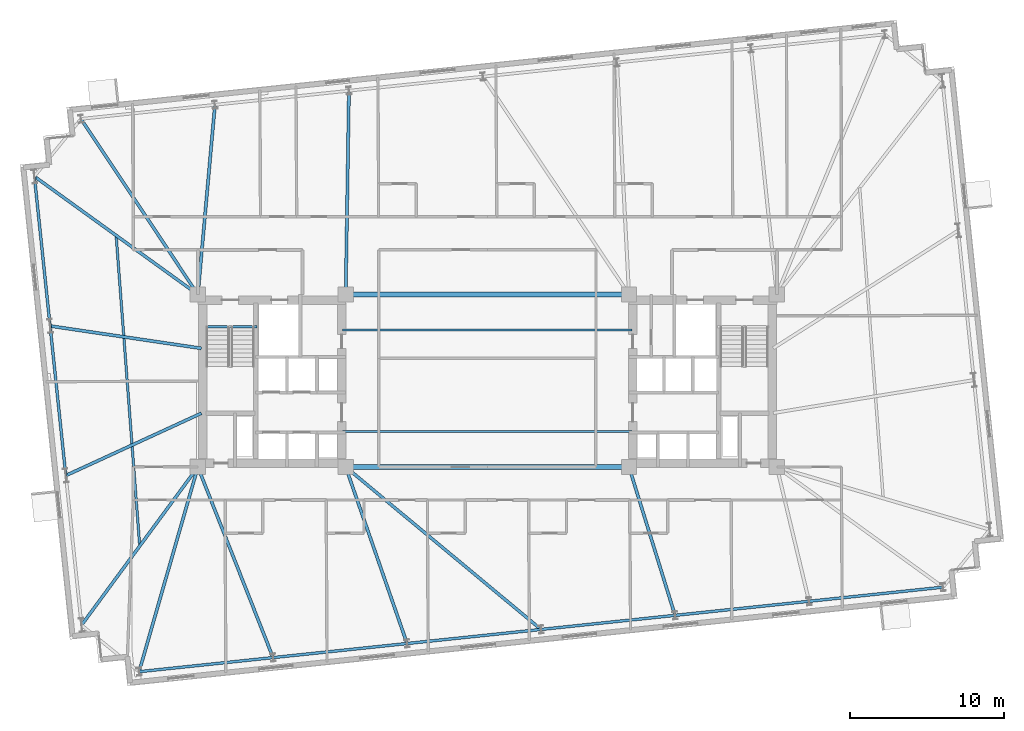
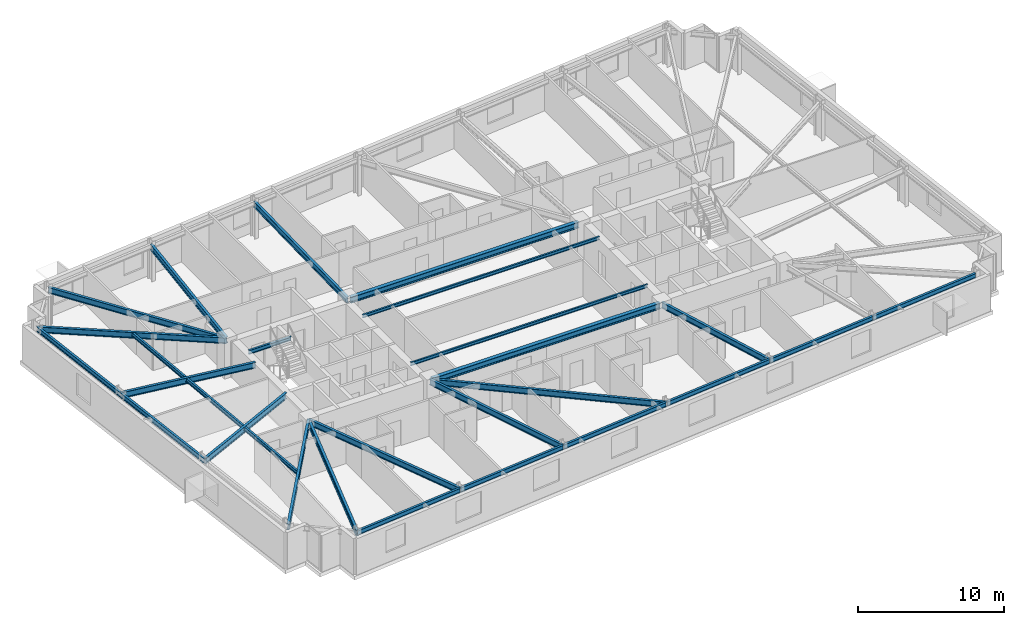
# One storey, part 5 of 19: 26 beams.
"""IFC4 building model written with IfcOpenShell, lengths in metres."""

from ifc_helpers import new_model, si_unit, direction, frame, origin, origin_2d, place, context, subcontext, project, spatial, i_section, extrude, material, material_profile, profile_set, type_object, element, save


model = new_model("IFC4")

# Units and contexts
model_context = context("Model", 3, precision=1e-05, world=origin(), true_north=direction((0.0, 1.0)))
body_context = subcontext(model_context, "Body", "Model", "MODEL_VIEW")
ifc_project = project(units=[si_unit("LENGTHUNIT", "METRE"), si_unit("AREAUNIT", "SQUARE_METRE"), si_unit("VOLUMEUNIT", "CUBIC_METRE"), si_unit("PLANEANGLEUNIT", "RADIAN"), si_unit("MASSUNIT", "GRAM", prefix="KILO")], contexts=[model_context])

# Site, building, storey
site_placement = place(None, origin())
site = spatial("IfcSite", under=ifc_project, at=site_placement, CompositionType="ELEMENT")
building_placement = place(site_placement, origin())
building = spatial("IfcBuilding", under=site, at=building_placement, Name="Qobustan Lattice House", CompositionType="ELEMENT")
storey_placement = place(building_placement, frame((0.0, 0.0, 115.85009765625)))
storey = spatial("IfcBuildingStorey", under=building, at=storey_placement, Name="L32", CompositionType="ELEMENT", Elevation=115.85009765625)

# Beams
ifc_material_1 = material(Name="Steel S355", Category="steel")
ifc_material_profile_1 = material_profile(ifc_material_1, i_section(OverallWidth=0.300048828125, OverallDepth=0.5, WebThickness=0.014404296875, FlangeThickness=0.028076171875, FilletRadius=0.027099609375, at=origin_2d()), Name="HEB500")
ifc_profile_set_1 = profile_set([ifc_material_profile_1], Name="Steel S355")
beam_type_1 = type_object("IfcBeamType", Name="BM-CG-HEB500", PredefinedType="USERDEFINED", material=ifc_profile_set_1)
for number, where, z_axis, x_axis, name in (
    (1, (-9.050048828125, -5.60009765625, 2.794921875), (1.0, 0.0, 0.0), (0.0, 1.0, 0.0), "L32 core spine girder CG-CS"),
    (2, (-9.050048828125, 5.60009765625, 2.794921875), (1.0, 0.0, 0.0), (0.0, 1.0, 0.0), "L32 core spine girder CG-CN"),
):
    element("IfcBeam", number, at=place(storey_placement, frame(where, z_axis=z_axis, x_axis=x_axis)), inside=storey, type_object=beam_type_1, Name=name, ObjectType="GIRDER", PredefinedType="USERDEFINED", context=body_context, shape_type="SweptSolid", body=[
        extrude(i_section(OverallWidth=0.300048828125, OverallDepth=0.5, WebThickness=0.014404296875, FlangeThickness=0.028076171875, FilletRadius=0.027099609375, at=origin_2d()), origin(), (0.0, 0.0, 1.0), 18.10009765625),
    ])
ifc_material_2 = material(Name="Steel S355", Category="steel")
ifc_material_profile_2 = material_profile(ifc_material_2, i_section(OverallWidth=0.199951171875, OverallDepth=0.5, WebThickness=0.01025390625, FlangeThickness=0.01611328125, FilletRadius=0.02099609375, at=origin_2d()), Name="IPE500")
ifc_profile_set_2 = profile_set([ifc_material_profile_2], Name="Steel S355")
beam_type_2 = type_object("IfcBeamType", Name="BM-FLG-IPE500", PredefinedType="USERDEFINED", material=ifc_profile_set_2)
beam_1_placement = place(storey_placement, frame((-22.612548828125, -18.87109375, 2.794921875), z_axis=(0.276115177845, 0.961124554136, 0.0), x_axis=(-0.961124554136, 0.276115177845, 0.0)))
element("IfcBeam", 3, at=beam_1_placement, inside=storey, type_object=beam_type_2, Name="L32 primary floor girder RAD-S1W", ObjectType="GIRDER", PredefinedType="USERDEFINED", context=body_context, shape_type="SweptSolid", body=[
    extrude(i_section(OverallWidth=0.199951171875, OverallDepth=0.5, WebThickness=0.01025390625, FlangeThickness=0.01611328125, FilletRadius=0.02099609375, at=origin_2d()), origin(), (0.0, 0.0, 1.0), 13.782958984375),
])
beam_2_placement = place(storey_placement, frame((-13.926513671875, -17.95703125, 2.794921875), z_axis=(-0.366884358141, 0.930266557365, 0.0), x_axis=(-0.930266557365, -0.366884358141, 0.0)))
element("IfcBeam", 4, at=beam_2_placement, inside=storey, type_object=beam_type_2, Name="L32 primary floor girder RAD-S2", ObjectType="GIRDER", PredefinedType="USERDEFINED", context=body_context, shape_type="SweptSolid", body=[
    extrude(i_section(OverallWidth=0.199951171875, OverallDepth=0.5, WebThickness=0.01025390625, FlangeThickness=0.01611328125, FilletRadius=0.02099609375, at=origin_2d()), origin(), (0.0, 0.0, 1.0), 13.25830078125),
])
beam_3_placement = place(storey_placement, frame((-5.223388671875, -17.0419921875, 2.794921875), z_axis=(-0.328289533586, 0.94457714462, 0.0), x_axis=(-0.94457714462, -0.328289533586, 0.0)))
element("IfcBeam", 5, at=beam_3_placement, inside=storey, type_object=beam_type_2, Name="L32 primary floor girder RAD-S3", ObjectType="GIRDER", PredefinedType="USERDEFINED", context=body_context, shape_type="SweptSolid", body=[
    extrude(i_section(OverallWidth=0.199951171875, OverallDepth=0.5, WebThickness=0.01025390625, FlangeThickness=0.01611328125, FilletRadius=0.02099609375, at=origin_2d()), origin(), (0.0, 0.0, 1.0), 12.08837890625),
])
beam_4_placement = place(storey_placement, frame((3.467529296875, -16.135009765625, 2.794921875), z_axis=(-0.768858311844, 0.639419186691, 0.0), x_axis=(-0.639419186691, -0.768858311844, 0.0)))
element("IfcBeam", 6, at=beam_4_placement, inside=storey, type_object=beam_type_2, Name="L32 primary floor girder RAD-S4", ObjectType="GIRDER", PredefinedType="USERDEFINED", context=body_context, shape_type="SweptSolid", body=[
    extrude(i_section(OverallWidth=0.199951171875, OverallDepth=0.5, WebThickness=0.01025390625, FlangeThickness=0.01611328125, FilletRadius=0.02099609375, at=origin_2d()), origin(), (0.0, 0.0, 1.0), 16.450927734375),
])
beam_5_placement = place(storey_placement, frame((12.181396484375, -15.212646484375, 2.794921875), z_axis=(-0.296219460995, 0.955119903953, 0.0), x_axis=(-0.955119903953, -0.296219460995, 0.0)))
element("IfcBeam", 7, at=beam_5_placement, inside=storey, type_object=beam_type_2, Name="L32 primary floor girder RAD-S5", ObjectType="GIRDER", PredefinedType="USERDEFINED", context=body_context, shape_type="SweptSolid", body=[
    extrude(i_section(OverallWidth=0.199951171875, OverallDepth=0.5, WebThickness=0.01025390625, FlangeThickness=0.01611328125, FilletRadius=0.02099609375, at=origin_2d()), origin(), (0.0, 0.0, 1.0), 10.03955078125),
])
beam_6_placement = place(storey_placement, frame((-26.37890625, 16.986328125, 2.794921875), z_axis=(0.5540893103, -0.832457227857, 0.0), x_axis=(0.832457227857, 0.5540893103, 0.0)))
element("IfcBeam", 8, at=beam_6_placement, inside=storey, type_object=beam_type_2, Name="L32 primary floor girder RAD-N7W", ObjectType="GIRDER", PredefinedType="USERDEFINED", context=body_context, shape_type="SweptSolid", body=[
    extrude(i_section(OverallWidth=0.199951171875, OverallDepth=0.5, WebThickness=0.01025390625, FlangeThickness=0.01611328125, FilletRadius=0.02099609375, at=origin_2d()), origin(), (0.0, 0.0, 1.0), 13.65283203125),
])
beam_7_placement = place(storey_placement, frame((-17.693115234375, 17.89697265625, 2.794921875), z_axis=(-0.089658533603, -0.995972563554, 0.0), x_axis=(0.995972563554, -0.089658533603, 0.0)))
element("IfcBeam", 9, at=beam_7_placement, inside=storey, type_object=beam_type_2, Name="L32 primary floor girder RAD-N6", ObjectType="GIRDER", PredefinedType="USERDEFINED", context=body_context, shape_type="SweptSolid", body=[
    extrude(i_section(OverallWidth=0.199951171875, OverallDepth=0.5, WebThickness=0.01025390625, FlangeThickness=0.01611328125, FilletRadius=0.02099609375, at=origin_2d()), origin(), (0.0, 0.0, 1.0), 12.321533203125),
])
beam_8_placement = place(storey_placement, frame((-8.9892578125, 18.8115234375, 2.794921875), z_axis=(-0.015957384359, -0.999872672836, 0.0), x_axis=(0.999872672836, -0.015957384359, 0.0)))
element("IfcBeam", 10, at=beam_8_placement, inside=storey, type_object=beam_type_2, Name="L32 primary floor girder RAD-N5", ObjectType="GIRDER", PredefinedType="USERDEFINED", context=body_context, shape_type="SweptSolid", body=[
    extrude(i_section(OverallWidth=0.199951171875, OverallDepth=0.5, WebThickness=0.01025390625, FlangeThickness=0.01611328125, FilletRadius=0.02099609375, at=origin_2d()), origin(), (0.0, 0.0, 1.0), 13.188232421875),
])
beam_9_placement = place(storey_placement, frame((-29.398681640625, 13.255859375, 2.794921875), z_axis=(0.810627425394, -0.585562274399, 0.0), x_axis=(0.585562274399, 0.810627425394, 0.0)))
element("IfcBeam", 11, at=beam_9_placement, inside=storey, type_object=beam_type_2, Name="L32 primary floor girder RAD-W1", ObjectType="GIRDER", PredefinedType="USERDEFINED", context=body_context, shape_type="SweptSolid", body=[
    extrude(i_section(OverallWidth=0.199951171875, OverallDepth=0.5, WebThickness=0.01025390625, FlangeThickness=0.01611328125, FilletRadius=0.02099609375, at=origin_2d()), origin(), (0.0, 0.0, 1.0), 13.049560546875),
])
beam_10_placement = place(storey_placement, frame((-28.373291015625, 3.5537109375, 2.794921875), z_axis=(0.989228195022, -0.146381618294, 0.0), x_axis=(0.146381618294, 0.989228195022, 0.0)))
element("IfcBeam", 12, at=beam_10_placement, inside=storey, type_object=beam_type_2, Name="L32 primary floor girder RAD-W2", ObjectType="GIRDER", PredefinedType="USERDEFINED", context=body_context, shape_type="SweptSolid", body=[
    extrude(i_section(OverallWidth=0.199951171875, OverallDepth=0.5, WebThickness=0.01025390625, FlangeThickness=0.01611328125, FilletRadius=0.02099609375, at=origin_2d()), origin(), (0.0, 0.0, 1.0), 9.9052734375),
])
beam_11_placement = place(storey_placement, frame((-27.3544921875, -6.1455078125, 2.794921875), z_axis=(0.908664928826, 0.417526103521, 0.0), x_axis=(-0.417526103521, 0.908664928826, 0.0)))
element("IfcBeam", 13, at=beam_11_placement, inside=storey, type_object=beam_type_2, Name="L32 primary floor girder RAD-W3", ObjectType="GIRDER", PredefinedType="USERDEFINED", context=body_context, shape_type="SweptSolid", body=[
    extrude(i_section(OverallWidth=0.199951171875, OverallDepth=0.5, WebThickness=0.01025390625, FlangeThickness=0.01611328125, FilletRadius=0.02099609375, at=origin_2d()), origin(), (0.0, 0.0, 1.0), 9.66455078125),
])
beam_12_placement = place(storey_placement, frame((-26.34130859375, -15.848876953125, 2.794921875), z_axis=(0.592669703312, 0.805445605101, 0.0), x_axis=(-0.805445605101, 0.592669703312, 0.0)))
element("IfcBeam", 14, at=beam_12_placement, inside=storey, type_object=beam_type_2, Name="L32 primary floor girder RAD-W4", ObjectType="GIRDER", PredefinedType="USERDEFINED", context=body_context, shape_type="SweptSolid", body=[
    extrude(i_section(OverallWidth=0.199951171875, OverallDepth=0.5, WebThickness=0.01025390625, FlangeThickness=0.01611328125, FilletRadius=0.02099609375, at=origin_2d()), origin(), (0.0, 0.0, 1.0), 12.699462890625),
])
ifc_material_3 = material(Name="Steel S355", Category="steel")
ifc_material_profile_3 = material_profile(ifc_material_3, i_section(OverallWidth=0.135009765625, OverallDepth=0.27001953125, WebThickness=0.006591796875, FlangeThickness=0.01025390625, FilletRadius=0.014892578125, at=origin_2d()), Name="IPE270")
ifc_profile_set_3 = profile_set([ifc_material_profile_3], Name="Steel S355")
beam_type_3 = type_object("IfcBeamType", Name="BM-JST-IPE270", PredefinedType="JOIST", material=ifc_profile_set_3)
for number, where, z_axis, x_axis, name in (
    (15, (-9.39990234375, -3.300048828125, 2.909912109375), (1.0, 0.0, 0.0), (0.0, 1.0, 0.0), "L32 central span floor joist 1"),
    (16, (-9.39990234375, 3.300048828125, 2.909912109375), (1.0, 0.0, 0.0), (0.0, 1.0, 0.0), "L32 central span floor joist 2"),
):
    element("IfcBeam", number, at=place(storey_placement, frame(where, z_axis=z_axis, x_axis=x_axis)), inside=storey, type_object=beam_type_3, Name=name, PredefinedType="JOIST", context=body_context, shape_type="SweptSolid", body=[
        extrude(i_section(OverallWidth=0.135009765625, OverallDepth=0.27001953125, WebThickness=0.006591796875, FlangeThickness=0.01025390625, FilletRadius=0.014892578125, at=origin_2d()), origin(), (0.0, 0.0, 1.0), 18.7998046875),
    ])
ifc_material_4 = material(Name="Steel S355", Category="steel")
ifc_material_profile_4 = material_profile(ifc_material_4, i_section(OverallWidth=0.159912109375, OverallDepth=0.330078125, WebThickness=0.007568359375, FlangeThickness=0.011474609375, FilletRadius=0.01806640625, at=origin_2d()), Name="IPE330")
ifc_profile_set_4 = profile_set([ifc_material_profile_4], Name="Steel S355")
beam_type_4 = type_object("IfcBeamType", Name="BM-SEC-IPE330", PredefinedType="BEAM", material=ifc_profile_set_4)
beam_13_placement = place(storey_placement, frame((-24.109619140625, 9.435302734375, 2.8798828125), z_axis=(0.07571166528, -0.997129752711, 0.0), x_axis=(0.997129752711, 0.07571166528, 0.0)))
element("IfcBeam", 17, at=beam_13_placement, inside=storey, type_object=beam_type_4, Name="L32 west wing secondary beam", PredefinedType="BEAM", context=body_context, shape_type="SweptSolid", body=[
    extrude(i_section(OverallWidth=0.159912109375, OverallDepth=0.330078125, WebThickness=0.007568359375, FlangeThickness=0.011474609375, FilletRadius=0.01806640625, at=origin_2d()), origin(), (0.0, 0.0, 1.0), 20.22802734375),
])
ifc_material_5 = material(Name="Steel S355", Category="steel")
ifc_material_profile_5 = material_profile(ifc_material_5, i_section(OverallWidth=0.159912109375, OverallDepth=0.330078125, WebThickness=0.007568359375, FlangeThickness=0.011474609375, FilletRadius=0.01806640625, at=origin_2d()), Name="IPE330")
ifc_profile_set_5 = profile_set([ifc_material_profile_5], Name="Steel S355")
beam_type_5 = type_object("IfcBeamType", Name="BM-SPD-IPE330", PredefinedType="SPANDREL", material=ifc_profile_set_5)
beam_14_placement = place(storey_placement, frame((-18.300048828125, 3.52001953125, 2.8798828125), z_axis=(1.0, 0.0, 0.0), x_axis=(0.0, 1.0, 0.0)))
element("IfcBeam", 18, at=beam_14_placement, inside=storey, type_object=beam_type_5, Name="L32 west stair landing trimmer beam", PredefinedType="SPANDREL", context=body_context, shape_type="SweptSolid", body=[
    extrude(i_section(OverallWidth=0.159912109375, OverallDepth=0.330078125, WebThickness=0.007568359375, FlangeThickness=0.011474609375, FilletRadius=0.01806640625, at=origin_2d()), origin(), (0.0, 0.0, 1.0), 3.35009765625),
])
ifc_material_6 = material(Name="Steel S355", Category="steel")
ifc_material_profile_6 = material_profile(ifc_material_6, i_section(OverallWidth=0.179931640625, OverallDepth=0.39990234375, WebThickness=0.008544921875, FlangeThickness=0.013427734375, FilletRadius=0.02099609375, at=origin_2d()), Name="IPE400")
ifc_profile_set_6 = profile_set([ifc_material_profile_6], Name="Steel S355")
beam_type_6 = type_object("IfcBeamType", Name="BM-SPD-IPE400", PredefinedType="SPANDREL", material=ifc_profile_set_6)
beam_15_placement = place(storey_placement, frame((-22.594482421875, -18.892333984375, 2.844970703125), z_axis=(0.994521279781, 0.10453432002, 0.0), x_axis=(-0.10453432002, 0.994521279781, 0.0)))
element("IfcBeam", 19, at=beam_15_placement, inside=storey, type_object=beam_type_6, Name="L32 perimeter spandrel S1-S2", PredefinedType="SPANDREL", context=body_context, shape_type="SweptSolid", body=[
    extrude(i_section(OverallWidth=0.179931640625, OverallDepth=0.39990234375, WebThickness=0.008544921875, FlangeThickness=0.013427734375, FilletRadius=0.02099609375, at=origin_2d()), origin(), (0.0, 0.0, 1.0), 8.69970703125),
])
for number, where, z_axis, x_axis, name in (
    (20, (-13.892578125, -17.977783203125, 2.844970703125), (0.994521586424, 0.104531402636, 0.0), (-0.104531402636, 0.994521586424, 0.0), "L32 perimeter spandrel S2-S3"),
    (21, (-5.1904296875, -17.06298828125, 2.844970703125), (0.994524503348, 0.104503647022, 0.0), (-0.104503647022, 0.994524503348, 0.0), "L32 perimeter spandrel S3-S4"),
):
    element("IfcBeam", number, at=place(storey_placement, frame(where, z_axis=z_axis, x_axis=x_axis)), inside=storey, type_object=beam_type_6, Name=name, PredefinedType="SPANDREL", context=body_context, shape_type="SweptSolid", body=[
        extrude(i_section(OverallWidth=0.179931640625, OverallDepth=0.39990234375, WebThickness=0.008544921875, FlangeThickness=0.013427734375, FilletRadius=0.02099609375, at=origin_2d()), origin(), (0.0, 0.0, 1.0), 8.699951171875),
    ])
beam_16_placement = place(storey_placement, frame((3.51171875, -16.1484375, 2.844970703125), z_axis=(0.994521279781, 0.10453432002, 0.0), x_axis=(-0.10453432002, 0.994521279781, 0.0)))
element("IfcBeam", 22, at=beam_16_placement, inside=storey, type_object=beam_type_6, Name="L32 perimeter spandrel S4-S5", PredefinedType="SPANDREL", context=body_context, shape_type="SweptSolid", body=[
    extrude(i_section(OverallWidth=0.179931640625, OverallDepth=0.39990234375, WebThickness=0.008544921875, FlangeThickness=0.013427734375, FilletRadius=0.02099609375, at=origin_2d()), origin(), (0.0, 0.0, 1.0), 8.69970703125),
])
for number, where, z_axis, x_axis, name in (
    (23, (12.213623046875, -15.23388671875, 2.844970703125), (0.994521586424, 0.104531402636, 0.0), (-0.104531402636, 0.994521586424, 0.0), "L32 perimeter spandrel S5-S6"),
    (24, (20.915771484375, -14.3193359375, 2.844970703125), (0.994521586424, 0.104531402636, 0.0), (-0.104531402636, 0.994521586424, 0.0), "L32 perimeter spandrel S6-S7"),
):
    element("IfcBeam", number, at=place(storey_placement, frame(where, z_axis=z_axis, x_axis=x_axis)), inside=storey, type_object=beam_type_6, Name=name, PredefinedType="SPANDREL", context=body_context, shape_type="SweptSolid", body=[
        extrude(i_section(OverallWidth=0.179931640625, OverallDepth=0.39990234375, WebThickness=0.008544921875, FlangeThickness=0.013427734375, FilletRadius=0.02099609375, at=origin_2d()), origin(), (0.0, 0.0, 1.0), 8.699951171875),
    ])
beam_17_placement = place(storey_placement, frame((-29.416259765625, 13.24560546875, 2.844970703125), z_axis=(0.104525214252, -0.994522236848, 0.0), x_axis=(0.994522236848, 0.104525214252, 0.0)))
element("IfcBeam", 25, at=beam_17_placement, inside=storey, type_object=beam_type_6, Name="L32 perimeter spandrel W1-W2", PredefinedType="SPANDREL", context=body_context, shape_type="SweptSolid", body=[
    extrude(i_section(OverallWidth=0.179931640625, OverallDepth=0.39990234375, WebThickness=0.008544921875, FlangeThickness=0.013427734375, FilletRadius=0.02099609375, at=origin_2d()), origin(), (0.0, 0.0, 1.0), 9.716552734375),
])
beam_18_placement = place(storey_placement, frame((-28.3955078125, 3.532470703125, 2.844970703125), z_axis=(0.104547453407, -0.994519899241, 0.0), x_axis=(0.994519899241, 0.104547453407, 0.0)))
element("IfcBeam", 26, at=beam_18_placement, inside=storey, type_object=beam_type_6, Name="L32 perimeter spandrel W2-W3", PredefinedType="SPANDREL", context=body_context, shape_type="SweptSolid", body=[
    extrude(i_section(OverallWidth=0.179931640625, OverallDepth=0.39990234375, WebThickness=0.008544921875, FlangeThickness=0.013427734375, FilletRadius=0.02099609375, at=origin_2d()), origin(), (0.0, 0.0, 1.0), 9.716796875),
])

save(model, "model.ifc")
